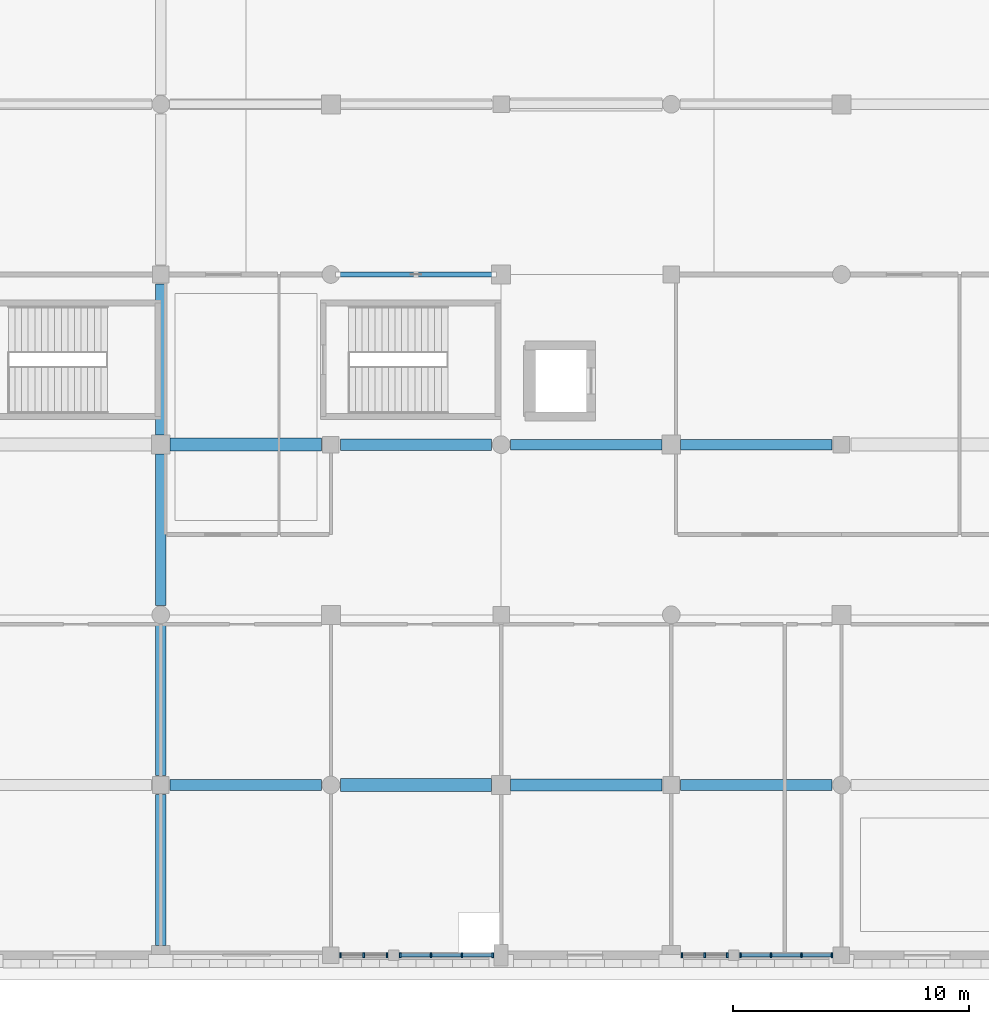
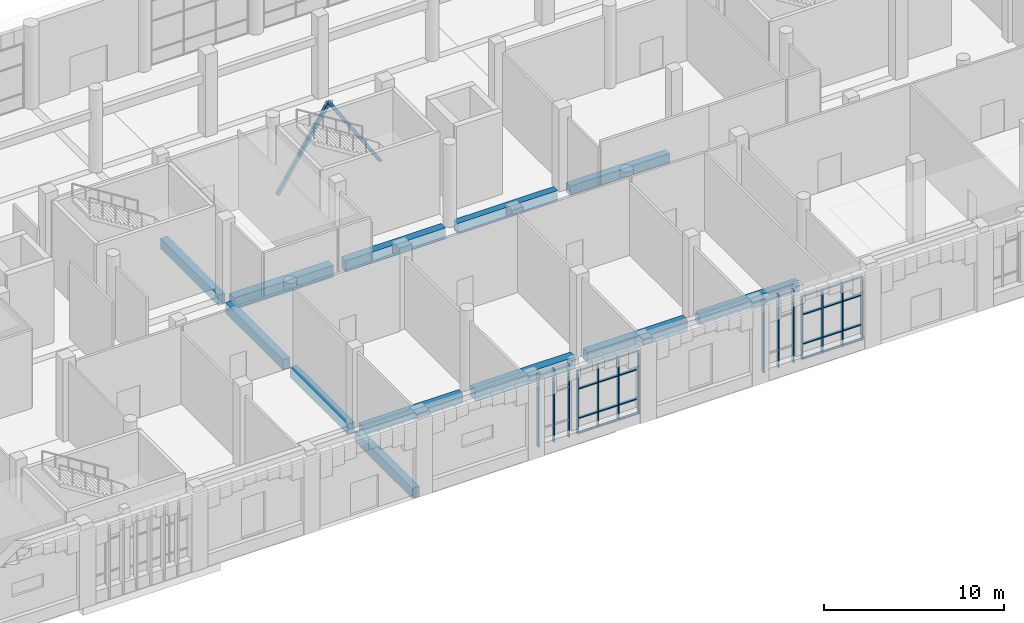
# One storey, part 14 of 85: 40 members, 12 beams, 4 elements without a shape of their own.
"""IFC4 building model written with IfcOpenShell, lengths in metres."""

from ifc_helpers import new_model, si_unit, direction, frame, origin, origin_2d, place, context, subcontext, project, spatial, rectangle, hollow_rectangle, extrude, material, material_profile, profile_set, type_object, element, aggregate, save


model = new_model("IFC4")

# Units and contexts
model_context = context("Model", 3, precision=1e-05, world=origin(), true_north=direction((0.0, 1.0)))
body_context = subcontext(model_context, "Body", "Model", "MODEL_VIEW")
ifc_project = project(units=[si_unit("LENGTHUNIT", "METRE"), si_unit("AREAUNIT", "SQUARE_METRE"), si_unit("VOLUMEUNIT", "CUBIC_METRE"), si_unit("PLANEANGLEUNIT", "RADIAN"), si_unit("MASSUNIT", "GRAM", prefix="KILO")], contexts=[model_context])

# Site, building, storey
site_placement = place(None, origin())
site = spatial("IfcSite", under=ifc_project, at=site_placement, CompositionType="ELEMENT")
building_placement = place(site_placement, origin())
building = spatial("IfcBuilding", under=site, at=building_placement, Name="Sardonyx Promenade Sports Hall", CompositionType="ELEMENT")
storey_placement = place(building_placement, origin())
storey = spatial("IfcBuildingStorey", under=building, at=storey_placement, Name="L00", CompositionType="ELEMENT", Elevation=0.0)

# Beams
ifc_material_1 = material(Name="Concrete C40/50", Category="concrete")
ifc_material_profile_1 = material_profile(ifc_material_1, rectangle(XDim=0.5, YDim=0.75, at=origin_2d()))
ifc_profile_set_1 = profile_set([ifc_material_profile_1], Name="Concrete C40/50")
beam_type_1 = type_object("IfcBeamType", Name="Bm_Girder_RC750", PredefinedType="BEAM", material=ifc_profile_set_1)
beam_1_placement = place(storey_placement, frame((79.60009765625, 7.199951171875, -0.375), z_axis=(1.0, 0.0, 0.0), x_axis=(0.0, 1.0, 0.0)))
element("IfcBeam", 1, at=beam_1_placement, inside=storey, type_object=beam_type_1, Name="Beam BG02 L00 #65", PredefinedType="BEAM", context=body_context, shape_type="SweptSolid", body=[
    extrude(rectangle(XDim=0.5, YDim=0.75, at=origin_2d()), origin(), (0.0, 0.0, 1.0), 6.39990234375),
])
beam_2_placement = place(storey_placement, frame((72.39990234375, 21.60009765625, -0.375), z_axis=(1.0, 0.0, 0.0), x_axis=(0.0, 1.0, 0.0)))
element("IfcBeam", 2, at=beam_2_placement, inside=storey, type_object=beam_type_1, Name="Beam BG02 L00 #87", PredefinedType="BEAM", context=body_context, shape_type="SweptSolid", body=[
    extrude(rectangle(XDim=0.5, YDim=0.75, at=origin_2d()), origin(), (0.0, 0.0, 1.0), 6.400146484375),
])
ifc_material_2 = material(Name="Concrete C40/50", Category="concrete")
ifc_material_profile_2 = material_profile(ifc_material_2, rectangle(XDim=0.550048828125, YDim=0.800048828125, at=origin_2d()))
ifc_profile_set_2 = profile_set([ifc_material_profile_2], Name="Concrete C40/50")
beam_type_2 = type_object("IfcBeamType", Name="Bm_Girder_RC800", PredefinedType="BEAM", material=ifc_profile_set_2)
for number, where, z_axis, x_axis, name in (
    (3, (72.39990234375, 7.199951171875, -0.39990234375), (1.0, 0.0, 0.0), (0.0, 1.0, 0.0), "Beam BG04 L00 #64"),
    (4, (65.199951171875, 21.60009765625, -0.39990234375), (1.0, 0.0, 0.0), (0.0, 1.0, 0.0), "Beam BG04 L00 #86"),
):
    element("IfcBeam", number, at=place(storey_placement, frame(where, z_axis=z_axis, x_axis=x_axis)), inside=storey, type_object=beam_type_2, Name=name, PredefinedType="BEAM", context=body_context, shape_type="SweptSolid", body=[
        extrude(rectangle(XDim=0.550048828125, YDim=0.800048828125, at=origin_2d()), origin(), (0.0, 0.0, 1.0), 6.400146484375),
    ])
ifc_material_3 = material(Name="Concrete C40/50", Category="concrete")
ifc_material_profile_3 = material_profile(ifc_material_3, rectangle(XDim=0.449951171875, YDim=0.64990234375, at=origin_2d()))
ifc_profile_set_3 = profile_set([ifc_material_profile_3], Name="Concrete C40/50")
beam_type_3 = type_object("IfcBeamType", Name="Bm_Primary_RC650", PredefinedType="BEAM", material=ifc_profile_set_3)
beam_3_placement = place(storey_placement, frame((65.199951171875, 7.199951171875, -0.324951171875), z_axis=(1.0, 0.0, 0.0), x_axis=(0.0, 1.0, 0.0)))
element("IfcBeam", 5, at=beam_3_placement, inside=storey, type_object=beam_type_3, Name="Beam BG05 L00 #63", PredefinedType="BEAM", context=body_context, shape_type="SweptSolid", body=[
    extrude(rectangle(XDim=0.449951171875, YDim=0.64990234375, at=origin_2d()), origin(), (0.0, 0.0, 1.0), 6.400146484375),
])
beam_4_placement = place(storey_placement, frame((86.800048828125, 21.60009765625, -0.324951171875), z_axis=(1.0, 0.0, 0.0), x_axis=(0.0, 1.0, 0.0)))
element("IfcBeam", 6, at=beam_4_placement, inside=storey, type_object=beam_type_3, Name="Beam BG05 L00 #89", PredefinedType="BEAM", context=body_context, shape_type="SweptSolid", body=[
    extrude(rectangle(XDim=0.449951171875, YDim=0.64990234375, at=origin_2d()), origin(), (0.0, 0.0, 1.0), 6.39990234375),
])
ifc_material_4 = material(Name="Concrete C40/50", Category="concrete")
ifc_material_profile_4 = material_profile(ifc_material_4, rectangle(XDim=0.449951171875, YDim=0.699951171875, at=origin_2d()))
ifc_profile_set_4 = profile_set([ifc_material_profile_4], Name="Concrete C40/50")
beam_type_4 = type_object("IfcBeamType", Name="Bm_Primary_RC700", PredefinedType="BEAM", material=ifc_profile_set_4)
for number, where, z_axis, x_axis, name in (
    (7, (86.800048828125, 7.199951171875, -0.35009765625), (1.0, 0.0, 0.0), (0.0, 1.0, 0.0), "Beam BG01 L00 #66"),
    (8, (79.60009765625, 21.60009765625, -0.35009765625), (1.0, 0.0, 0.0), (0.0, 1.0, 0.0), "Beam BG01 L00 #88"),
):
    element("IfcBeam", number, at=place(storey_placement, frame(where, z_axis=z_axis, x_axis=x_axis)), inside=storey, type_object=beam_type_4, Name=name, PredefinedType="BEAM", context=body_context, shape_type="SweptSolid", body=[
        extrude(rectangle(XDim=0.449951171875, YDim=0.699951171875, at=origin_2d()), origin(), (0.0, 0.0, 1.0), 6.39990234375),
    ])
beam_5_placement = place(storey_placement, frame((64.800048828125, 0.39990234375, -0.35009765625), z_axis=(0.0, 1.0, 0.0), x_axis=(-1.0, 0.0, 0.0)))
element("IfcBeam", 9, at=beam_5_placement, inside=storey, type_object=beam_type_4, Name="Beam BG01 L00 #137", PredefinedType="BEAM", context=body_context, shape_type="SweptSolid", body=[
    extrude(rectangle(XDim=0.449951171875, YDim=0.699951171875, at=origin_2d()), origin(), (0.0, 0.0, 1.0), 6.400146484375),
])
for number, where, z_axis, x_axis, name in (
    (10, (64.800048828125, 7.60009765625, -0.35009765625), (0.0, 1.0, 0.0), (-1.0, 0.0, 0.0), "Beam BG01 L00 #138"),
    (11, (64.800048828125, 14.800048828125, -0.35009765625), (0.0, 1.0, 0.0), (-1.0, 0.0, 0.0), "Beam BG01 L00 #139"),
    (12, (64.800048828125, 22.0, -0.35009765625), (0.0, 1.0, 0.0), (-1.0, 0.0, 0.0), "Beam BG01 L00 #140"),
):
    element("IfcBeam", number, at=place(storey_placement, frame(where, z_axis=z_axis, x_axis=x_axis)), inside=storey, type_object=beam_type_4, Name=name, PredefinedType="BEAM", context=body_context, shape_type="SweptSolid", body=[
        extrude(rectangle(XDim=0.449951171875, YDim=0.699951171875, at=origin_2d()), origin(), (0.0, 0.0, 1.0), 6.39990234375),
    ])

# Curtain wall, members
ifc_material_5 = material(Name="Aluminium 6063-T6", Category="aluminium")
curtain_wall_type_1 = type_object("IfcCurtainWallType", Name="CW_South_L00_640", PredefinedType="USERDEFINED", material=ifc_material_5)
curtain_wall_1_placement = place(storey_placement, origin())
curtain_wall_1 = element("IfcCurtainWall", 13, at=curtain_wall_1_placement, inside=storey, type_object=curtain_wall_type_1, Name="Curtain wall CW11 cw:L00:009", ObjectType="CURTAIN WALL", PredefinedType="USERDEFINED")
ifc_material_6 = material(Name="Aluminium 6063-T6", Category="aluminium")
ifc_material_profile_5 = material_profile(ifc_material_6, rectangle(XDim=0.070068359375, YDim=0.199951171875, at=origin_2d()))
ifc_profile_set_5 = profile_set([ifc_material_profile_5], Name="Aluminium 6063-T6")
member_type_1 = type_object("IfcMemberType", Name="CW_Mull_200", PredefinedType="MULLION", material=ifc_profile_set_5)
member_1_placement = place(storey_placement, frame((93.195068359375, 0.0, 0.35009765625), z_axis=(0.0, 0.0, 1.0), x_axis=(-1.0, 0.0, 0.0)))
member_1 = element("IfcMember", 14, at=member_1_placement, type_object=member_type_1, Name="Mullion CM03 cw:L00:009 #1", PredefinedType="MULLION", context=body_context, shape_type="SweptSolid", body=[
    extrude(rectangle(XDim=0.070068359375, YDim=0.199951171875, at=origin_2d()), origin(), (0.0, 0.0, 1.0), 4.2998046875),
])
member_2_placement = place(storey_placement, frame((91.90673828125, 0.0, 0.35009765625), z_axis=(0.0, 0.0, 1.0), x_axis=(-1.0, 0.0, 0.0)))
member_2 = element("IfcMember", 15, at=member_2_placement, type_object=member_type_1, Name="Mullion CM03 cw:L00:009 #2", PredefinedType="MULLION", context=body_context, shape_type="SweptSolid", body=[
    extrude(rectangle(XDim=0.070068359375, YDim=0.199951171875, at=origin_2d()), origin(), (0.0, 0.0, 1.0), 4.2998046875),
])
member_3_placement = place(storey_placement, frame((90.618408203125, 0.0, 0.35009765625), z_axis=(0.0, 0.0, 1.0), x_axis=(-1.0, 0.0, 0.0)))
member_3 = element("IfcMember", 16, at=member_3_placement, type_object=member_type_1, Name="Mullion CM03 cw:L00:009 #3", PredefinedType="MULLION", context=body_context, shape_type="SweptSolid", body=[
    extrude(rectangle(XDim=0.070068359375, YDim=0.199951171875, at=origin_2d()), origin(), (0.0, 0.0, 1.0), 4.2998046875),
])
member_4_placement = place(storey_placement, frame((89.330078125, 0.0, 0.35009765625), z_axis=(0.0, 0.0, 1.0), x_axis=(-1.0, 0.0, 0.0)))
member_4 = element("IfcMember", 17, at=member_4_placement, type_object=member_type_1, Name="Mullion CM03 cw:L00:009 #4", PredefinedType="MULLION", context=body_context, shape_type="SweptSolid", body=[
    extrude(rectangle(XDim=0.070068359375, YDim=0.199951171875, at=origin_2d()), origin(), (0.0, 0.0, 1.0), 4.2998046875),
])

curtain_wall_2_placement = place(storey_placement, origin())
curtain_wall_2 = element("IfcCurtainWall", 18, at=curtain_wall_2_placement, inside=storey, type_object=curtain_wall_type_1, Name="Curtain wall CW11 cw:L00:011", ObjectType="CURTAIN WALL", PredefinedType="USERDEFINED")
member_5_placement = place(storey_placement, frame((78.844970703125, 0.0, 0.35009765625), z_axis=(0.0, 0.0, 1.0), x_axis=(-1.0, 0.0, 0.0)))
member_5 = element("IfcMember", 19, at=member_5_placement, type_object=member_type_1, Name="Mullion CM03 cw:L00:011 #1", PredefinedType="MULLION", context=body_context, shape_type="SweptSolid", body=[
    extrude(rectangle(XDim=0.070068359375, YDim=0.199951171875, at=origin_2d()), origin(), (0.0, 0.0, 1.0), 4.2998046875),
])
member_6_placement = place(storey_placement, frame((77.5400390625, 0.0, 0.35009765625), z_axis=(0.0, 0.0, 1.0), x_axis=(-1.0, 0.0, 0.0)))
member_6 = element("IfcMember", 20, at=member_6_placement, type_object=member_type_1, Name="Mullion CM03 cw:L00:011 #2", PredefinedType="MULLION", context=body_context, shape_type="SweptSolid", body=[
    extrude(rectangle(XDim=0.070068359375, YDim=0.199951171875, at=origin_2d()), origin(), (0.0, 0.0, 1.0), 4.2998046875),
])
member_7_placement = place(storey_placement, frame((76.235107421875, 0.0, 0.35009765625), z_axis=(0.0, 0.0, 1.0), x_axis=(-1.0, 0.0, 0.0)))
member_7 = element("IfcMember", 21, at=member_7_placement, type_object=member_type_1, Name="Mullion CM03 cw:L00:011 #3", PredefinedType="MULLION", context=body_context, shape_type="SweptSolid", body=[
    extrude(rectangle(XDim=0.070068359375, YDim=0.199951171875, at=origin_2d()), origin(), (0.0, 0.0, 1.0), 4.2998046875),
])
member_8_placement = place(storey_placement, frame((74.929931640625, 0.0, 0.35009765625), z_axis=(0.0, 0.0, 1.0), x_axis=(-1.0, 0.0, 0.0)))
member_8 = element("IfcMember", 22, at=member_8_placement, type_object=member_type_1, Name="Mullion CM03 cw:L00:011 #4", PredefinedType="MULLION", context=body_context, shape_type="SweptSolid", body=[
    extrude(rectangle(XDim=0.070068359375, YDim=0.199951171875, at=origin_2d()), origin(), (0.0, 0.0, 1.0), 4.2998046875),
])

ifc_material_7 = material(Name="Aluminium 6063-T6", Category="aluminium")
curtain_wall_type_2 = type_object("IfcCurtainWallType", Name="CW_Foyer_Pilaster_L00", PredefinedType="USERDEFINED", material=ifc_material_7)
curtain_wall_3_placement = place(storey_placement, origin())
curtain_wall_3 = element("IfcCurtainWall", 23, at=curtain_wall_3_placement, inside=storey, type_object=curtain_wall_type_2, Name="Curtain wall CW20 cw:L00:010", ObjectType="CURTAIN WALL", PredefinedType="USERDEFINED")
ifc_material_8 = material(Name="Aluminium 6063-T6", Category="aluminium")
ifc_material_profile_6 = material_profile(ifc_material_8, rectangle(XDim=0.074951171875, YDim=0.22509765625, at=origin_2d()))
ifc_profile_set_6 = profile_set([ifc_material_profile_6], Name="Aluminium 6063-T6")
member_type_2 = type_object("IfcMemberType", Name="CW_Mull_225", PredefinedType="MULLION", material=ifc_profile_set_6)
member_9_placement = place(storey_placement, frame((88.767578125, 0.0, 0.35009765625), z_axis=(0.0, 0.0, 1.0), x_axis=(-1.0, 0.0, 0.0)))
member_9 = element("IfcMember", 24, at=member_9_placement, type_object=member_type_2, Name="Mullion CM04 cw:L00:010 #1", PredefinedType="MULLION", context=body_context, shape_type="SweptSolid", body=[
    extrude(rectangle(XDim=0.074951171875, YDim=0.22509765625, at=origin_2d()), origin(), (0.0, 0.0, 1.0), 4.949951171875),
])
member_10_placement = place(storey_placement, frame((87.8125, 0.0, 0.35009765625), z_axis=(0.0, 0.0, 1.0), x_axis=(-1.0, 0.0, 0.0)))
member_10 = element("IfcMember", 25, at=member_10_placement, type_object=member_type_2, Name="Mullion CM04 cw:L00:010 #2", PredefinedType="MULLION", context=body_context, shape_type="SweptSolid", body=[
    extrude(rectangle(XDim=0.074951171875, YDim=0.22509765625, at=origin_2d()), origin(), (0.0, 0.0, 1.0), 4.949951171875),
])
member_11_placement = place(storey_placement, frame((86.857421875, 0.0, 0.35009765625), z_axis=(0.0, 0.0, 1.0), x_axis=(-1.0, 0.0, 0.0)))
member_11 = element("IfcMember", 26, at=member_11_placement, type_object=member_type_2, Name="Mullion CM04 cw:L00:010 #3", PredefinedType="MULLION", context=body_context, shape_type="SweptSolid", body=[
    extrude(rectangle(XDim=0.074951171875, YDim=0.22509765625, at=origin_2d()), origin(), (0.0, 0.0, 1.0), 4.949951171875),
])
aggregate(curtain_wall_3, [member_9, member_10, member_11])

curtain_wall_4_placement = place(storey_placement, origin())
curtain_wall_4 = element("IfcCurtainWall", 27, at=curtain_wall_4_placement, inside=storey, type_object=curtain_wall_type_2, Name="Curtain wall CW20 cw:L00:012", ObjectType="CURTAIN WALL", PredefinedType="USERDEFINED")
member_12_placement = place(storey_placement, frame((74.367431640625, 0.0, 0.35009765625), z_axis=(0.0, 0.0, 1.0), x_axis=(-1.0, 0.0, 0.0)))
member_12 = element("IfcMember", 28, at=member_12_placement, type_object=member_type_2, Name="Mullion CM04 cw:L00:012 #1", PredefinedType="MULLION", context=body_context, shape_type="SweptSolid", body=[
    extrude(rectangle(XDim=0.074951171875, YDim=0.22509765625, at=origin_2d()), origin(), (0.0, 0.0, 1.0), 4.949951171875),
])
member_13_placement = place(storey_placement, frame((73.387451171875, 0.0, 0.35009765625), z_axis=(0.0, 0.0, 1.0), x_axis=(-1.0, 0.0, 0.0)))
member_13 = element("IfcMember", 29, at=member_13_placement, type_object=member_type_2, Name="Mullion CM04 cw:L00:012 #2", PredefinedType="MULLION", context=body_context, shape_type="SweptSolid", body=[
    extrude(rectangle(XDim=0.074951171875, YDim=0.22509765625, at=origin_2d()), origin(), (0.0, 0.0, 1.0), 4.949951171875),
])
member_14_placement = place(storey_placement, frame((72.407470703125, 0.0, 0.35009765625), z_axis=(0.0, 0.0, 1.0), x_axis=(-1.0, 0.0, 0.0)))
member_14 = element("IfcMember", 30, at=member_14_placement, type_object=member_type_2, Name="Mullion CM04 cw:L00:012 #3", PredefinedType="MULLION", context=body_context, shape_type="SweptSolid", body=[
    extrude(rectangle(XDim=0.074951171875, YDim=0.22509765625, at=origin_2d()), origin(), (0.0, 0.0, 1.0), 4.949951171875),
])
aggregate(curtain_wall_4, [member_12, member_13, member_14])

# Member
ifc_material_9 = material(Name="Aluminium 6063-T6", Category="aluminium")
ifc_material_profile_7 = material_profile(ifc_material_9, rectangle(XDim=0.070068359375, YDim=0.159912109375, at=origin_2d()))
ifc_profile_set_7 = profile_set([ifc_material_profile_7], Name="Aluminium 6063-T6")
member_type_3 = type_object("IfcMemberType", Name="CW_Tran_160", PredefinedType="USERDEFINED", material=ifc_profile_set_7)
member_15_placement = place(storey_placement, frame((93.159912109375, 0.0, 0.385009765625), z_axis=(-1.0, 0.0, 0.0), x_axis=(0.0, 0.0, 1.0)))
member_15 = element("IfcMember", 31, at=member_15_placement, type_object=member_type_3, Name="Transom CT03 cw:L00:009 #1", ObjectType="TRANSOM", PredefinedType="USERDEFINED", context=body_context, shape_type="SweptSolid", body=[
    extrude(rectangle(XDim=0.070068359375, YDim=0.159912109375, at=origin_2d()), origin(), (0.0, 0.0, 1.0), 1.21826171875),
])

member_16_placement = place(storey_placement, frame((93.159912109375, 0.0, 1.39990234375), z_axis=(-1.0, 0.0, 0.0), x_axis=(0.0, 0.0, 1.0)))
member_16 = element("IfcMember", 32, at=member_16_placement, type_object=member_type_3, Name="Transom CT03 cw:L00:009 #2", ObjectType="TRANSOM", PredefinedType="USERDEFINED", context=body_context, shape_type="SweptSolid", body=[
    extrude(rectangle(XDim=0.070068359375, YDim=0.159912109375, at=origin_2d()), origin(), (0.0, 0.0, 1.0), 1.21826171875),
])

member_17_placement = place(storey_placement, frame((93.159912109375, 0.0, 3.39990234375), z_axis=(-1.0, 0.0, 0.0), x_axis=(0.0, 0.0, 1.0)))
member_17 = element("IfcMember", 33, at=member_17_placement, type_object=member_type_3, Name="Transom CT03 cw:L00:009 #3", ObjectType="TRANSOM", PredefinedType="USERDEFINED", context=body_context, shape_type="SweptSolid", body=[
    extrude(rectangle(XDim=0.070068359375, YDim=0.159912109375, at=origin_2d()), origin(), (0.0, 0.0, 1.0), 1.21826171875),
])

member_18_placement = place(storey_placement, frame((93.159912109375, 0.0, 4.614990234375), z_axis=(-1.0, 0.0, 0.0), x_axis=(0.0, 0.0, 1.0)))
member_18 = element("IfcMember", 34, at=member_18_placement, type_object=member_type_3, Name="Transom CT03 cw:L00:009 #4", ObjectType="TRANSOM", PredefinedType="USERDEFINED", context=body_context, shape_type="SweptSolid", body=[
    extrude(rectangle(XDim=0.070068359375, YDim=0.159912109375, at=origin_2d()), origin(), (0.0, 0.0, 1.0), 1.21826171875),
])

member_19_placement = place(storey_placement, frame((91.87158203125, 0.0, 0.385009765625), z_axis=(-1.0, 0.0, 0.0), x_axis=(0.0, 0.0, 1.0)))
member_19 = element("IfcMember", 35, at=member_19_placement, type_object=member_type_3, Name="Transom CT03 cw:L00:009 #5", ObjectType="TRANSOM", PredefinedType="USERDEFINED", context=body_context, shape_type="SweptSolid", body=[
    extrude(rectangle(XDim=0.070068359375, YDim=0.159912109375, at=origin_2d()), origin(), (0.0, 0.0, 1.0), 1.21826171875),
])

member_20_placement = place(storey_placement, frame((91.87158203125, 0.0, 1.39990234375), z_axis=(-1.0, 0.0, 0.0), x_axis=(0.0, 0.0, 1.0)))
member_20 = element("IfcMember", 36, at=member_20_placement, type_object=member_type_3, Name="Transom CT03 cw:L00:009 #6", ObjectType="TRANSOM", PredefinedType="USERDEFINED", context=body_context, shape_type="SweptSolid", body=[
    extrude(rectangle(XDim=0.070068359375, YDim=0.159912109375, at=origin_2d()), origin(), (0.0, 0.0, 1.0), 1.21826171875),
])

member_21_placement = place(storey_placement, frame((91.87158203125, 0.0, 3.39990234375), z_axis=(-1.0, 0.0, 0.0), x_axis=(0.0, 0.0, 1.0)))
member_21 = element("IfcMember", 37, at=member_21_placement, type_object=member_type_3, Name="Transom CT03 cw:L00:009 #7", ObjectType="TRANSOM", PredefinedType="USERDEFINED", context=body_context, shape_type="SweptSolid", body=[
    extrude(rectangle(XDim=0.070068359375, YDim=0.159912109375, at=origin_2d()), origin(), (0.0, 0.0, 1.0), 1.21826171875),
])

member_22_placement = place(storey_placement, frame((91.87158203125, 0.0, 4.614990234375), z_axis=(-1.0, 0.0, 0.0), x_axis=(0.0, 0.0, 1.0)))
member_22 = element("IfcMember", 38, at=member_22_placement, type_object=member_type_3, Name="Transom CT03 cw:L00:009 #8", ObjectType="TRANSOM", PredefinedType="USERDEFINED", context=body_context, shape_type="SweptSolid", body=[
    extrude(rectangle(XDim=0.070068359375, YDim=0.159912109375, at=origin_2d()), origin(), (0.0, 0.0, 1.0), 1.21826171875),
])

member_23_placement = place(storey_placement, frame((90.583251953125, 0.0, 0.385009765625), z_axis=(-1.0, 0.0, 0.0), x_axis=(0.0, 0.0, 1.0)))
member_23 = element("IfcMember", 39, at=member_23_placement, type_object=member_type_3, Name="Transom CT03 cw:L00:009 #9", ObjectType="TRANSOM", PredefinedType="USERDEFINED", context=body_context, shape_type="SweptSolid", body=[
    extrude(rectangle(XDim=0.070068359375, YDim=0.159912109375, at=origin_2d()), origin(), (0.0, 0.0, 1.0), 1.21826171875),
])

member_24_placement = place(storey_placement, frame((90.583251953125, 0.0, 1.39990234375), z_axis=(-1.0, 0.0, 0.0), x_axis=(0.0, 0.0, 1.0)))
member_24 = element("IfcMember", 40, at=member_24_placement, type_object=member_type_3, Name="Transom CT03 cw:L00:009 #10", ObjectType="TRANSOM", PredefinedType="USERDEFINED", context=body_context, shape_type="SweptSolid", body=[
    extrude(rectangle(XDim=0.070068359375, YDim=0.159912109375, at=origin_2d()), origin(), (0.0, 0.0, 1.0), 1.21826171875),
])

member_25_placement = place(storey_placement, frame((90.583251953125, 0.0, 3.39990234375), z_axis=(-1.0, 0.0, 0.0), x_axis=(0.0, 0.0, 1.0)))
member_25 = element("IfcMember", 41, at=member_25_placement, type_object=member_type_3, Name="Transom CT03 cw:L00:009 #11", ObjectType="TRANSOM", PredefinedType="USERDEFINED", context=body_context, shape_type="SweptSolid", body=[
    extrude(rectangle(XDim=0.070068359375, YDim=0.159912109375, at=origin_2d()), origin(), (0.0, 0.0, 1.0), 1.21826171875),
])

member_26_placement = place(storey_placement, frame((90.583251953125, 0.0, 4.614990234375), z_axis=(-1.0, 0.0, 0.0), x_axis=(0.0, 0.0, 1.0)))
member_26 = element("IfcMember", 42, at=member_26_placement, type_object=member_type_3, Name="Transom CT03 cw:L00:009 #12", ObjectType="TRANSOM", PredefinedType="USERDEFINED", context=body_context, shape_type="SweptSolid", body=[
    extrude(rectangle(XDim=0.070068359375, YDim=0.159912109375, at=origin_2d()), origin(), (0.0, 0.0, 1.0), 1.21826171875),
])

aggregate(curtain_wall_1, [member_1, member_2, member_3, member_4, member_15, member_16, member_17, member_18, member_19, member_20, member_21, member_22, member_23, member_24, member_25, member_26])

member_27_placement = place(storey_placement, frame((78.81005859375, 0.0, 0.385009765625), z_axis=(-1.0, 0.0, 0.0), x_axis=(0.0, 0.0, 1.0)))
member_27 = element("IfcMember", 43, at=member_27_placement, type_object=member_type_3, Name="Transom CT03 cw:L00:011 #1", ObjectType="TRANSOM", PredefinedType="USERDEFINED", context=body_context, shape_type="SweptSolid", body=[
    extrude(rectangle(XDim=0.070068359375, YDim=0.159912109375, at=origin_2d()), origin(), (0.0, 0.0, 1.0), 1.235107421875),
])

member_28_placement = place(storey_placement, frame((78.81005859375, 0.0, 1.39990234375), z_axis=(-1.0, 0.0, 0.0), x_axis=(0.0, 0.0, 1.0)))
member_28 = element("IfcMember", 44, at=member_28_placement, type_object=member_type_3, Name="Transom CT03 cw:L00:011 #2", ObjectType="TRANSOM", PredefinedType="USERDEFINED", context=body_context, shape_type="SweptSolid", body=[
    extrude(rectangle(XDim=0.070068359375, YDim=0.159912109375, at=origin_2d()), origin(), (0.0, 0.0, 1.0), 1.235107421875),
])

member_29_placement = place(storey_placement, frame((78.81005859375, 0.0, 3.39990234375), z_axis=(-1.0, 0.0, 0.0), x_axis=(0.0, 0.0, 1.0)))
member_29 = element("IfcMember", 45, at=member_29_placement, type_object=member_type_3, Name="Transom CT03 cw:L00:011 #3", ObjectType="TRANSOM", PredefinedType="USERDEFINED", context=body_context, shape_type="SweptSolid", body=[
    extrude(rectangle(XDim=0.070068359375, YDim=0.159912109375, at=origin_2d()), origin(), (0.0, 0.0, 1.0), 1.235107421875),
])

member_30_placement = place(storey_placement, frame((78.81005859375, 0.0, 4.614990234375), z_axis=(-1.0, 0.0, 0.0), x_axis=(0.0, 0.0, 1.0)))
member_30 = element("IfcMember", 46, at=member_30_placement, type_object=member_type_3, Name="Transom CT03 cw:L00:011 #4", ObjectType="TRANSOM", PredefinedType="USERDEFINED", context=body_context, shape_type="SweptSolid", body=[
    extrude(rectangle(XDim=0.070068359375, YDim=0.159912109375, at=origin_2d()), origin(), (0.0, 0.0, 1.0), 1.235107421875),
])

member_31_placement = place(storey_placement, frame((77.5048828125, 0.0, 0.385009765625), z_axis=(-1.0, 0.0, 0.0), x_axis=(0.0, 0.0, 1.0)))
member_31 = element("IfcMember", 47, at=member_31_placement, type_object=member_type_3, Name="Transom CT03 cw:L00:011 #5", ObjectType="TRANSOM", PredefinedType="USERDEFINED", context=body_context, shape_type="SweptSolid", body=[
    extrude(rectangle(XDim=0.070068359375, YDim=0.159912109375, at=origin_2d()), origin(), (0.0, 0.0, 1.0), 1.23486328125),
])

member_32_placement = place(storey_placement, frame((77.5048828125, 0.0, 1.39990234375), z_axis=(-1.0, 0.0, 0.0), x_axis=(0.0, 0.0, 1.0)))
member_32 = element("IfcMember", 48, at=member_32_placement, type_object=member_type_3, Name="Transom CT03 cw:L00:011 #6", ObjectType="TRANSOM", PredefinedType="USERDEFINED", context=body_context, shape_type="SweptSolid", body=[
    extrude(rectangle(XDim=0.070068359375, YDim=0.159912109375, at=origin_2d()), origin(), (0.0, 0.0, 1.0), 1.23486328125),
])

member_33_placement = place(storey_placement, frame((77.5048828125, 0.0, 3.39990234375), z_axis=(-1.0, 0.0, 0.0), x_axis=(0.0, 0.0, 1.0)))
member_33 = element("IfcMember", 49, at=member_33_placement, type_object=member_type_3, Name="Transom CT03 cw:L00:011 #7", ObjectType="TRANSOM", PredefinedType="USERDEFINED", context=body_context, shape_type="SweptSolid", body=[
    extrude(rectangle(XDim=0.070068359375, YDim=0.159912109375, at=origin_2d()), origin(), (0.0, 0.0, 1.0), 1.23486328125),
])

member_34_placement = place(storey_placement, frame((77.5048828125, 0.0, 4.614990234375), z_axis=(-1.0, 0.0, 0.0), x_axis=(0.0, 0.0, 1.0)))
member_34 = element("IfcMember", 50, at=member_34_placement, type_object=member_type_3, Name="Transom CT03 cw:L00:011 #8", ObjectType="TRANSOM", PredefinedType="USERDEFINED", context=body_context, shape_type="SweptSolid", body=[
    extrude(rectangle(XDim=0.070068359375, YDim=0.159912109375, at=origin_2d()), origin(), (0.0, 0.0, 1.0), 1.23486328125),
])

member_35_placement = place(storey_placement, frame((76.199951171875, 0.0, 0.385009765625), z_axis=(-1.0, 0.0, 0.0), x_axis=(0.0, 0.0, 1.0)))
member_35 = element("IfcMember", 51, at=member_35_placement, type_object=member_type_3, Name="Transom CT03 cw:L00:011 #9", ObjectType="TRANSOM", PredefinedType="USERDEFINED", context=body_context, shape_type="SweptSolid", body=[
    extrude(rectangle(XDim=0.070068359375, YDim=0.159912109375, at=origin_2d()), origin(), (0.0, 0.0, 1.0), 1.23486328125),
])

member_36_placement = place(storey_placement, frame((76.199951171875, 0.0, 1.39990234375), z_axis=(-1.0, 0.0, 0.0), x_axis=(0.0, 0.0, 1.0)))
member_36 = element("IfcMember", 52, at=member_36_placement, type_object=member_type_3, Name="Transom CT03 cw:L00:011 #10", ObjectType="TRANSOM", PredefinedType="USERDEFINED", context=body_context, shape_type="SweptSolid", body=[
    extrude(rectangle(XDim=0.070068359375, YDim=0.159912109375, at=origin_2d()), origin(), (0.0, 0.0, 1.0), 1.23486328125),
])

member_37_placement = place(storey_placement, frame((76.199951171875, 0.0, 3.39990234375), z_axis=(-1.0, 0.0, 0.0), x_axis=(0.0, 0.0, 1.0)))
member_37 = element("IfcMember", 53, at=member_37_placement, type_object=member_type_3, Name="Transom CT03 cw:L00:011 #11", ObjectType="TRANSOM", PredefinedType="USERDEFINED", context=body_context, shape_type="SweptSolid", body=[
    extrude(rectangle(XDim=0.070068359375, YDim=0.159912109375, at=origin_2d()), origin(), (0.0, 0.0, 1.0), 1.23486328125),
])

member_38_placement = place(storey_placement, frame((76.199951171875, 0.0, 4.614990234375), z_axis=(-1.0, 0.0, 0.0), x_axis=(0.0, 0.0, 1.0)))
member_38 = element("IfcMember", 54, at=member_38_placement, type_object=member_type_3, Name="Transom CT03 cw:L00:011 #12", ObjectType="TRANSOM", PredefinedType="USERDEFINED", context=body_context, shape_type="SweptSolid", body=[
    extrude(rectangle(XDim=0.070068359375, YDim=0.159912109375, at=origin_2d()), origin(), (0.0, 0.0, 1.0), 1.23486328125),
])

aggregate(curtain_wall_2, [member_5, member_6, member_7, member_8, member_27, member_28, member_29, member_30, member_31, member_32, member_33, member_34, member_35, member_36, member_37, member_38])

# Members
ifc_material_10 = material(Name="Steel S355JR", Category="steel")
ifc_material_profile_8 = material_profile(ifc_material_10, hollow_rectangle(XDim=0.199951171875, YDim=0.199951171875, WallThickness=0.010009765625, at=origin_2d()))
ifc_profile_set_8 = profile_set([ifc_material_profile_8], Name="Steel S355JR")
member_type_4 = type_object("IfcMemberType", Name="Mbr_Brace_SHS200_Int", PredefinedType="BRACE", material=ifc_profile_set_8)
for number, where, z_axis, x_axis, name in (
    (55, (72.300048828125, 28.800048828125, 0.02001953125), (0.541020546305, 0.0, 0.841009374785), (0.0, 1.0, 0.0), "Chevron brace BR04 BF6 L00 leg 1"),
    (56, (78.89990234375, 28.800048828125, 0.02001953125), (-0.540992235695, 0.0, 0.8410275863), (0.0, -1.0, 0.0), "Chevron brace BR04 BF6 L00 leg 2"),
):
    element("IfcMember", number, at=place(storey_placement, frame(where, z_axis=z_axis, x_axis=x_axis)), inside=storey, type_object=member_type_4, Name=name, PredefinedType="BRACE", context=body_context, shape_type="SweptSolid", body=[
        extrude(hollow_rectangle(XDim=0.199951171875, YDim=0.199951171875, WallThickness=0.010009765625, at=origin_2d()), origin(), (0.0, 0.0, 1.0), 6.099609375),
    ])

save(model, "model.ifc")
